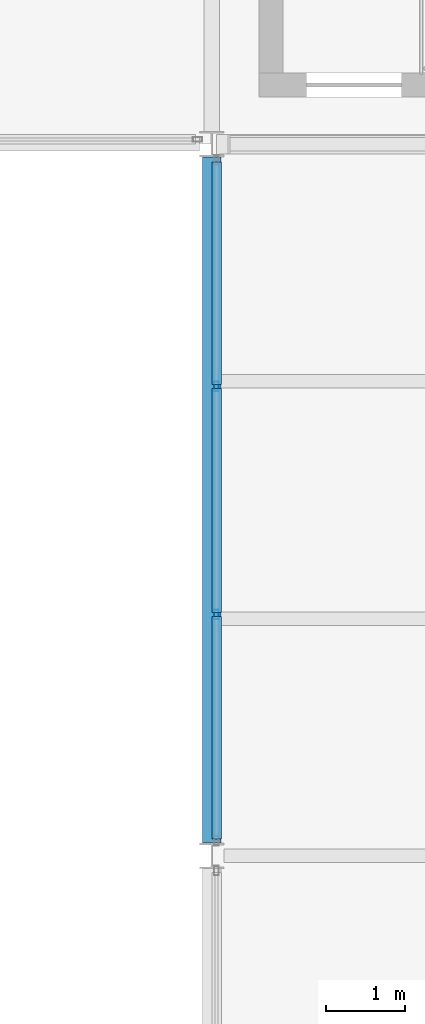
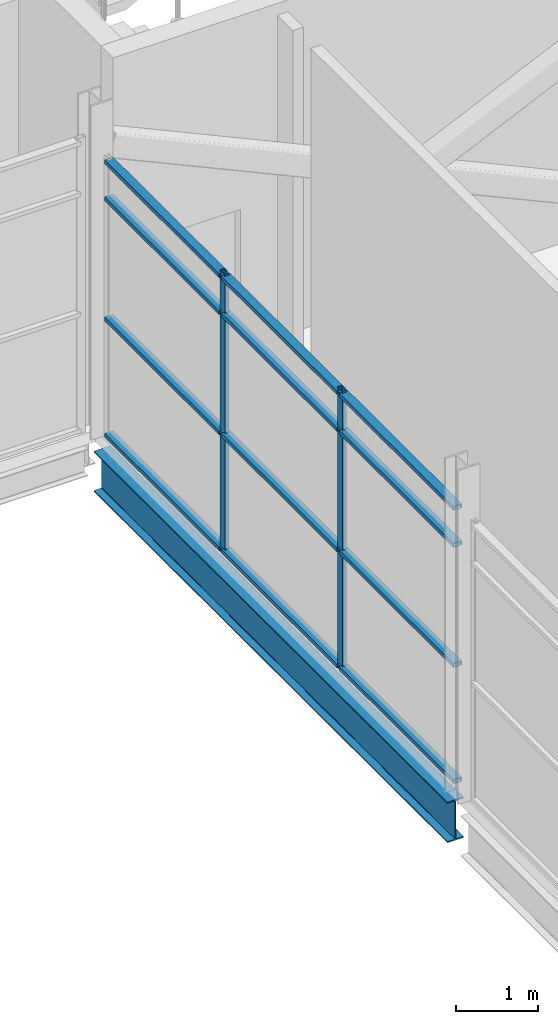
# One storey, part 51 of 112: 14 members, 1 beam, 1 element without a shape of its own.
"""IFC4 building model written with IfcOpenShell, lengths in metres."""

from ifc_helpers import new_model, si_unit, direction, frame, origin, origin_2d, place, context, subcontext, project, spatial, hollow_rectangle, i_section, extrude, material, layer, layer_set, material_profile, profile_set, type_object, element, aggregate, save


model = new_model("IFC4")

# Units and contexts
model_context = context("Model", 3, precision=1e-05, world=origin(), true_north=direction((0.0, 1.0)))
body_context = subcontext(model_context, "Body", "Model", "MODEL_VIEW")
ifc_project = project(units=[si_unit("LENGTHUNIT", "METRE"), si_unit("AREAUNIT", "SQUARE_METRE"), si_unit("VOLUMEUNIT", "CUBIC_METRE"), si_unit("PLANEANGLEUNIT", "RADIAN"), si_unit("MASSUNIT", "GRAM", prefix="KILO")], contexts=[model_context])

# Site, building, storey
site_placement = place(None, origin())
site = spatial("IfcSite", under=ifc_project, at=site_placement, CompositionType="ELEMENT")
building_placement = place(site_placement, origin())
building = spatial("IfcBuilding", under=site, at=building_placement, Name="Shorebreak Coast Museum", CompositionType="ELEMENT")
storey_placement = place(building_placement, frame((0.0, 0.0, 6.0)))
storey = spatial("IfcBuildingStorey", under=building, at=storey_placement, Name="L01", CompositionType="ELEMENT", Elevation=6.0)

# Beam
ifc_material_1 = material(Name="Steel Grade 300", Category="steel")
ifc_material_profile_1 = material_profile(ifc_material_1, i_section(OverallWidth=0.22802734375, OverallDepth=0.60693359375, WebThickness=0.01123046875, FlangeThickness=0.017333984375, FilletRadius=0.013916015625, at=origin_2d()), Name="610UB113")
ifc_profile_set_1 = profile_set([ifc_material_profile_1], Name="Steel Grade 300")
beam_type = type_object("IfcBeamType", Name="Floor girder north-south 610UB113", PredefinedType="BEAM", material=ifc_profile_set_1)
beam_placement = place(storey_placement, frame((108.0, 72.16357421875, -0.478515625), z_axis=(0.0, 1.0, 0.0), x_axis=(-1.0, 0.0, 0.0)))
element("IfcBeam", 1, at=beam_placement, inside=storey, type_object=beam_type, Name="Floor girder north-south L01 13J", PredefinedType="BEAM", context=body_context, shape_type="SweptSolid", body=[
    extrude(i_section(OverallWidth=0.22802734375, OverallDepth=0.60693359375, WebThickness=0.01123046875, FlangeThickness=0.017333984375, FilletRadius=0.013916015625, at=origin_2d()), origin(), (0.0, 0.0, 1.0), 8.6728515625),
])

# Curtain wall, members
ifc_material_2 = material(Name="Aluminium", Category="aluminium")
ifc_layer = layer(ifc_material_2, 0.1201171875)
ifc_layer_set = layer_set([ifc_layer], Name="Aluminium")
curtain_wall_type = type_object("IfcCurtainWallType", Name="Atrium fire screen", PredefinedType="NOTDEFINED", material=ifc_layer_set)
curtain_wall_placement = place(storey_placement, origin())
curtain_wall = element("IfcCurtainWall", 2, at=curtain_wall_placement, inside=storey, type_object=curtain_wall_type, Name="Atrium screen L01 E 15", PredefinedType="NOTDEFINED")
ifc_material_3 = material(Name="Aluminium", Category="aluminium")
ifc_material_profile_2 = material_profile(ifc_material_3, hollow_rectangle(XDim=0.06005859375, YDim=0.1201171875, WallThickness=0.00341796875, at=origin_2d()), Name="AL 120x60 RHS")
ifc_profile_set_2 = profile_set([ifc_material_profile_2], Name="Aluminium")
member_type_1 = type_object("IfcMemberType", Name="Screen mullion 50 x 120", PredefinedType="MULLION", material=ifc_profile_set_2)
member_1_placement = place(storey_placement, frame((108.06005859375, 75.0498046875, 0.0), z_axis=(0.0, 0.0, 1.0), x_axis=(-1.0, 0.0, 0.0)))
member_1 = element("IfcMember", 3, at=member_1_placement, type_object=member_type_1, Name="CW4 mullion 2", PredefinedType="MULLION", context=body_context, shape_type="SweptSolid", body=[
    extrude(hollow_rectangle(XDim=0.06005859375, YDim=0.1201171875, WallThickness=0.00341796875, at=origin_2d()), origin(), (0.0, 0.0, 1.0), 4.212890625),
])
member_2_placement = place(storey_placement, frame((108.06005859375, 77.93603515625, 0.0), z_axis=(0.0, 0.0, 1.0), x_axis=(-1.0, 0.0, 0.0)))
member_2 = element("IfcMember", 4, at=member_2_placement, type_object=member_type_1, Name="CW4 mullion 3", PredefinedType="MULLION", context=body_context, shape_type="SweptSolid", body=[
    extrude(hollow_rectangle(XDim=0.06005859375, YDim=0.1201171875, WallThickness=0.00341796875, at=origin_2d()), origin(), (0.0, 0.0, 1.0), 4.212890625),
])
ifc_material_4 = material(Name="Aluminium", Category="aluminium")
ifc_material_profile_3 = material_profile(ifc_material_4, hollow_rectangle(XDim=0.1201171875, YDim=0.06005859375, WallThickness=0.00341796875, at=origin_2d()), Name="AL 60x120 RHS")
ifc_profile_set_3 = profile_set([ifc_material_profile_3], Name="Aluminium")
member_type_2 = type_object("IfcMemberType", Name="Screen transom 120 x 50", PredefinedType="USERDEFINED", material=ifc_profile_set_3)
member_3_placement = place(storey_placement, frame((108.06005859375, 72.213623046875, 0.06005859375), z_axis=(0.0, 1.0, 0.0), x_axis=(-1.0, 0.0, 0.0)))
member_3 = element("IfcMember", 5, at=member_3_placement, type_object=member_type_2, Name="CW4 transom 1.1", ObjectType="TRANSOM", PredefinedType="USERDEFINED", context=body_context, shape_type="SweptSolid", body=[
    extrude(hollow_rectangle(XDim=0.1201171875, YDim=0.06005859375, WallThickness=0.00341796875, at=origin_2d()), origin(), (0.0, 0.0, 1.0), 2.811279296875),
])
member_4_placement = place(storey_placement, frame((108.06005859375, 72.213623046875, 1.800048828125), z_axis=(0.0, 1.0, 0.0), x_axis=(-1.0, 0.0, 0.0)))
member_4 = element("IfcMember", 6, at=member_4_placement, type_object=member_type_2, Name="CW4 transom 1.2", ObjectType="TRANSOM", PredefinedType="USERDEFINED", context=body_context, shape_type="SweptSolid", body=[
    extrude(hollow_rectangle(XDim=0.1201171875, YDim=0.06005859375, WallThickness=0.00341796875, at=origin_2d()), origin(), (0.0, 0.0, 1.0), 2.811279296875),
])
member_5_placement = place(storey_placement, frame((108.06005859375, 72.213623046875, 3.60009765625), z_axis=(0.0, 1.0, 0.0), x_axis=(-1.0, 0.0, 0.0)))
member_5 = element("IfcMember", 7, at=member_5_placement, type_object=member_type_2, Name="CW4 transom 1.3", ObjectType="TRANSOM", PredefinedType="USERDEFINED", context=body_context, shape_type="SweptSolid", body=[
    extrude(hollow_rectangle(XDim=0.1201171875, YDim=0.06005859375, WallThickness=0.00341796875, at=origin_2d()), origin(), (0.0, 0.0, 1.0), 2.811279296875),
])
member_6_placement = place(storey_placement, frame((108.06005859375, 72.213623046875, 4.153076171875), z_axis=(0.0, 1.0, 0.0), x_axis=(-1.0, 0.0, 0.0)))
member_6 = element("IfcMember", 8, at=member_6_placement, type_object=member_type_2, Name="CW4 transom 1.4", ObjectType="TRANSOM", PredefinedType="USERDEFINED", context=body_context, shape_type="SweptSolid", body=[
    extrude(hollow_rectangle(XDim=0.1201171875, YDim=0.06005859375, WallThickness=0.00341796875, at=origin_2d()), origin(), (0.0, 0.0, 1.0), 2.811279296875),
])
member_7_placement = place(storey_placement, frame((108.06005859375, 75.074951171875, 0.06005859375), z_axis=(0.0, 1.0, 0.0), x_axis=(-1.0, 0.0, 0.0)))
member_7 = element("IfcMember", 9, at=member_7_placement, type_object=member_type_2, Name="CW4 transom 2.1", ObjectType="TRANSOM", PredefinedType="USERDEFINED", context=body_context, shape_type="SweptSolid", body=[
    extrude(hollow_rectangle(XDim=0.1201171875, YDim=0.06005859375, WallThickness=0.00341796875, at=origin_2d()), origin(), (0.0, 0.0, 1.0), 2.836181640625),
])
member_8_placement = place(storey_placement, frame((108.06005859375, 75.074951171875, 1.800048828125), z_axis=(0.0, 1.0, 0.0), x_axis=(-1.0, 0.0, 0.0)))
member_8 = element("IfcMember", 10, at=member_8_placement, type_object=member_type_2, Name="CW4 transom 2.2", ObjectType="TRANSOM", PredefinedType="USERDEFINED", context=body_context, shape_type="SweptSolid", body=[
    extrude(hollow_rectangle(XDim=0.1201171875, YDim=0.06005859375, WallThickness=0.00341796875, at=origin_2d()), origin(), (0.0, 0.0, 1.0), 2.836181640625),
])
member_9_placement = place(storey_placement, frame((108.06005859375, 75.074951171875, 3.60009765625), z_axis=(0.0, 1.0, 0.0), x_axis=(-1.0, 0.0, 0.0)))
member_9 = element("IfcMember", 11, at=member_9_placement, type_object=member_type_2, Name="CW4 transom 2.3", ObjectType="TRANSOM", PredefinedType="USERDEFINED", context=body_context, shape_type="SweptSolid", body=[
    extrude(hollow_rectangle(XDim=0.1201171875, YDim=0.06005859375, WallThickness=0.00341796875, at=origin_2d()), origin(), (0.0, 0.0, 1.0), 2.836181640625),
])
member_10_placement = place(storey_placement, frame((108.06005859375, 75.074951171875, 4.153076171875), z_axis=(0.0, 1.0, 0.0), x_axis=(-1.0, 0.0, 0.0)))
member_10 = element("IfcMember", 12, at=member_10_placement, type_object=member_type_2, Name="CW4 transom 2.4", ObjectType="TRANSOM", PredefinedType="USERDEFINED", context=body_context, shape_type="SweptSolid", body=[
    extrude(hollow_rectangle(XDim=0.1201171875, YDim=0.06005859375, WallThickness=0.00341796875, at=origin_2d()), origin(), (0.0, 0.0, 1.0), 2.836181640625),
])
member_11_placement = place(storey_placement, frame((108.06005859375, 77.961181640625, 0.06005859375), z_axis=(0.0, 1.0, 0.0), x_axis=(-1.0, 0.0, 0.0)))
member_11 = element("IfcMember", 13, at=member_11_placement, type_object=member_type_2, Name="CW4 transom 3.1", ObjectType="TRANSOM", PredefinedType="USERDEFINED", context=body_context, shape_type="SweptSolid", body=[
    extrude(hollow_rectangle(XDim=0.1201171875, YDim=0.06005859375, WallThickness=0.00341796875, at=origin_2d()), origin(), (0.0, 0.0, 1.0), 2.811279296875),
])
member_12_placement = place(storey_placement, frame((108.06005859375, 77.961181640625, 1.800048828125), z_axis=(0.0, 1.0, 0.0), x_axis=(-1.0, 0.0, 0.0)))
member_12 = element("IfcMember", 14, at=member_12_placement, type_object=member_type_2, Name="CW4 transom 3.2", ObjectType="TRANSOM", PredefinedType="USERDEFINED", context=body_context, shape_type="SweptSolid", body=[
    extrude(hollow_rectangle(XDim=0.1201171875, YDim=0.06005859375, WallThickness=0.00341796875, at=origin_2d()), origin(), (0.0, 0.0, 1.0), 2.811279296875),
])
member_13_placement = place(storey_placement, frame((108.06005859375, 77.961181640625, 3.60009765625), z_axis=(0.0, 1.0, 0.0), x_axis=(-1.0, 0.0, 0.0)))
member_13 = element("IfcMember", 15, at=member_13_placement, type_object=member_type_2, Name="CW4 transom 3.3", ObjectType="TRANSOM", PredefinedType="USERDEFINED", context=body_context, shape_type="SweptSolid", body=[
    extrude(hollow_rectangle(XDim=0.1201171875, YDim=0.06005859375, WallThickness=0.00341796875, at=origin_2d()), origin(), (0.0, 0.0, 1.0), 2.811279296875),
])
member_14_placement = place(storey_placement, frame((108.06005859375, 77.961181640625, 4.153076171875), z_axis=(0.0, 1.0, 0.0), x_axis=(-1.0, 0.0, 0.0)))
member_14 = element("IfcMember", 16, at=member_14_placement, type_object=member_type_2, Name="CW4 transom 3.4", ObjectType="TRANSOM", PredefinedType="USERDEFINED", context=body_context, shape_type="SweptSolid", body=[
    extrude(hollow_rectangle(XDim=0.1201171875, YDim=0.06005859375, WallThickness=0.00341796875, at=origin_2d()), origin(), (0.0, 0.0, 1.0), 2.811279296875),
])
aggregate(curtain_wall, [member_1, member_2, member_3, member_4, member_5, member_6, member_7, member_8, member_9, member_10, member_11, member_12, member_13, member_14])

save(model, "model.ifc")
